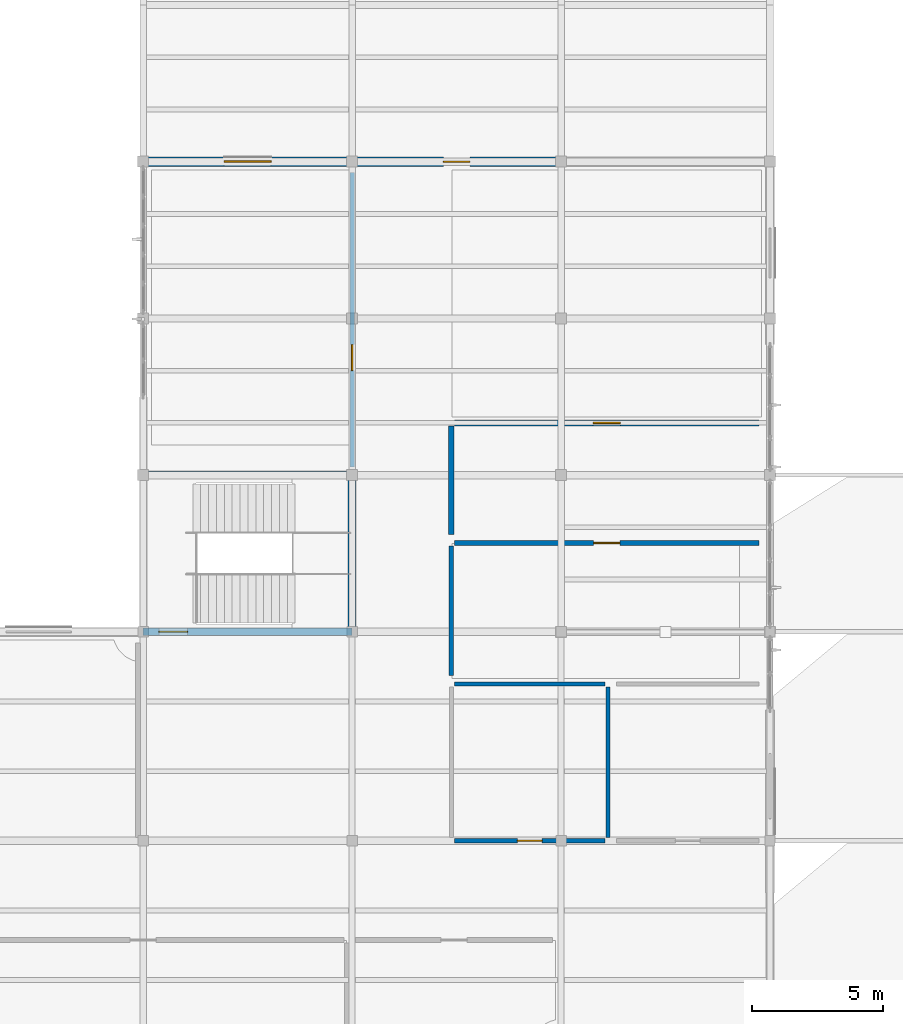
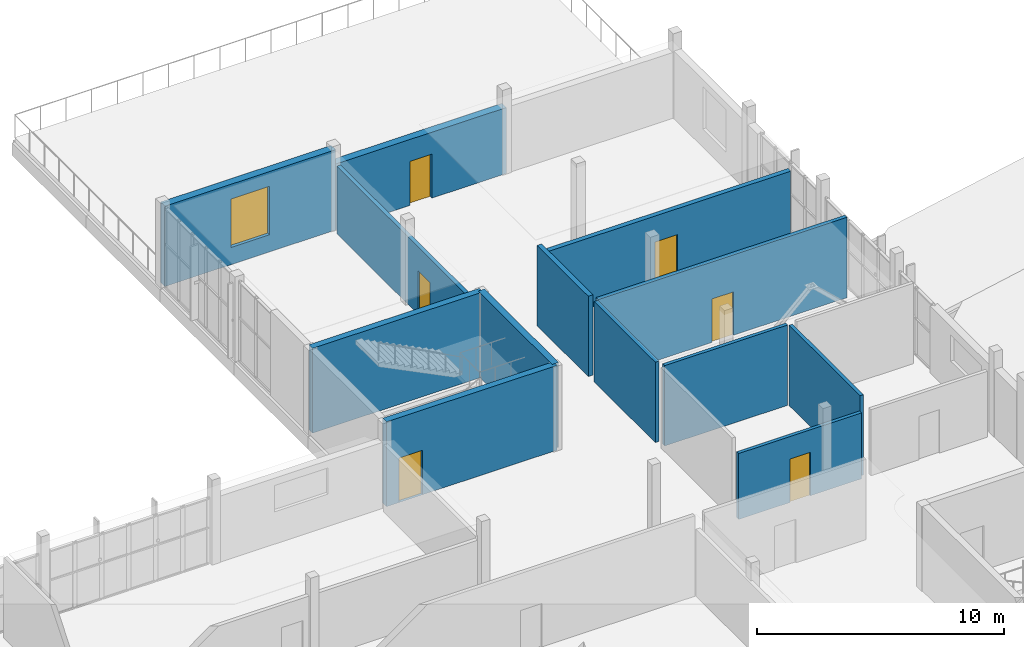
# One storey, part 37 of 45: 13 walls, 6 doors, 1 window, 7 openings.
"""IFC4 building model written with IfcOpenShell, lengths in metres."""

from ifc_helpers import new_model, si_unit, direction, frame, frame_2d, origin, place, context, subcontext, project, spatial, rectangle, extrude, material, layer, layer_set, type_object, element, fill, save


model = new_model("IFC4")

# Units and contexts
model_context = context("Model", 3, precision=1e-05, world=origin(), true_north=direction((0.0, 1.0)))
body_context = subcontext(model_context, "Body", "Model", "MODEL_VIEW")
ifc_project = project(units=[si_unit("LENGTHUNIT", "METRE"), si_unit("AREAUNIT", "SQUARE_METRE"), si_unit("VOLUMEUNIT", "CUBIC_METRE"), si_unit("PLANEANGLEUNIT", "RADIAN"), si_unit("MASSUNIT", "GRAM", prefix="KILO")], contexts=[model_context])

# Site, building, storey
site_placement = place(None, origin())
site = spatial("IfcSite", under=ifc_project, at=site_placement, CompositionType="ELEMENT")
building_placement = place(site_placement, origin())
building = spatial("IfcBuilding", under=site, at=building_placement, Name="Solvane Community Centre", CompositionType="ELEMENT")
storey_placement = place(building_placement, frame((0.0, 0.0, 13.800048828125)))
storey = spatial("IfcBuildingStorey", under=building, at=storey_placement, Name="L03", CompositionType="ELEMENT", Elevation=13.800048828125)

# Wall, opening, door
ifc_material_1 = material(Name="Precast concrete C35/45", Category="concrete")
ifc_layer_1 = layer(ifc_material_1, 0.35009765625)
ifc_layer_set_1 = layer_set([ifc_layer_1], Name="Precast concrete C35/45")
wall_type_1 = type_object("IfcWallType", Name="Art Deco Limestone Cavity Wall 350mm [80x33dm]", PredefinedType="SOLIDWALL", material=ifc_layer_set_1)
wall_1_placement = place(storey_placement, frame((124.0, 48.0, 0.0), z_axis=(0.0, 0.0, 1.0), x_axis=(1.0, 0.0, 0.0)))
wall_1 = element("IfcWall", 1, at=wall_1_placement, inside=storey, type_object=wall_type_1, Name="Exterior Wall WL-EXT-L03-0150", PredefinedType="SOLIDWALL", context=body_context, shape_type="SweptSolid", body=[
    extrude(rectangle(XDim=8.0, YDim=0.35009765625, at=frame_2d((4.0, 0.0))), origin(), (0.0, 0.0, 1.0), 3.264892578125),
])
opening_1_placement = place(wall_1_placement, frame((3.489990234375, 0.0, 0.0)))
opening_1 = element("IfcOpeningElement", 2, at=opening_1_placement, cuts=wall_1, Name="Opening D09", PredefinedType="OPENING", context=body_context, shape_type="SweptSolid", body=[
    extrude(rectangle(XDim=1.02001953125, YDim=2.179931640625, at=frame_2d((0.510009765625, 1.08984375))), frame((0.0, 0.18505859375, 0.0), z_axis=(0.0, -1.0, 0.0), x_axis=(1.0, 0.0, 0.0)), (0.0, 0.0, 1.0), 0.3701171875),
])
ifc_material_2 = material(Name="Anodised bronze aluminium AW-6063 T6", Category="aluminium")
door_type_1 = type_object("IfcDoorType", Name="Roof Garden Single Leaf 1020x2180", OperationType="NOTDEFINED", PredefinedType="DOOR", material=ifc_material_2)
door_1_placement = place(opening_1_placement, origin())
door_1 = element("IfcDoor", 3, at=door_1_placement, inside=storey, type_object=door_type_1, Name="L03-ED33", OperationType="SINGLE_SWING_LEFT", OverallHeight=2.179931640625, OverallWidth=1.02001953125, PredefinedType="DOOR", context=body_context, shape_type="SweptSolid", body=[
    extrude(rectangle(XDim=1.02001953125, YDim=2.179931640625, at=frame_2d((0.510009765625, 1.08984375))), frame((0.0, 0.02490234375, 0.0), z_axis=(0.0, -1.0, 0.0), x_axis=(1.0, 0.0, 0.0)), (0.0, 0.0, 1.0), 0.050048828125),
])
fill(opening_1, door_1)

# Wall, opening, window
ifc_layer_2 = layer(ifc_material_1, 0.35009765625)
ifc_layer_set_2 = layer_set([ifc_layer_2], Name="Precast concrete C35/45")
wall_type_2 = type_object("IfcWallType", Name="Art Deco Limestone Cavity Wall 350mm [80x40dm]", PredefinedType="SOLIDWALL", material=ifc_layer_set_2)
wall_2_placement = place(storey_placement, frame((116.0, 48.0, 0.0), z_axis=(0.0, 0.0, 1.0), x_axis=(1.0, 0.0, 0.0)))
wall_2 = element("IfcWall", 4, at=wall_2_placement, inside=storey, type_object=wall_type_2, Name="Exterior Wall WL-EXT-L03-0149", PredefinedType="SOLIDWALL", context=body_context, shape_type="SweptSolid", body=[
    extrude(rectangle(XDim=8.0, YDim=0.35009765625, at=frame_2d((4.0, 0.0))), origin(), (0.0, 0.0, 1.0), 3.97998046875),
])
opening_2_placement = place(wall_2_placement, frame((3.10009765625, 0.0, 0.85009765625)))
opening_2 = element("IfcOpeningElement", 5, at=opening_2_placement, cuts=wall_2, Name="Opening WN03", PredefinedType="OPENING", context=body_context, shape_type="SweptSolid", body=[
    extrude(rectangle(XDim=1.800048828125, YDim=2.39990234375, at=frame_2d((0.89990234375, 1.199951171875))), frame((0.0, 0.18505859375, 0.0), z_axis=(0.0, -1.0, 0.0), x_axis=(1.0, 0.0, 0.0)), (0.0, 0.0, 1.0), 0.3701171875),
])
ifc_material_3 = material(Name="Tempered low-E double glazing", Category="glass")
window_type = type_object("IfcWindowType", Name="Library Reading Window 1800x2400", PartitioningType="DOUBLE_PANEL_VERTICAL", PredefinedType="WINDOW", material=ifc_material_3)
window_placement = place(opening_2_placement, origin())
window = element("IfcWindow", 6, at=window_placement, inside=storey, type_object=window_type, Name="L03-W067", OverallHeight=2.39990234375, OverallWidth=1.800048828125, PartitioningType="DOUBLE_PANEL_VERTICAL", PredefinedType="WINDOW", context=body_context, shape_type="SweptSolid", body=[
    extrude(rectangle(XDim=1.800048828125, YDim=2.39990234375, at=frame_2d((0.89990234375, 1.199951171875))), frame((0.0, 0.030029296875, 0.0), z_axis=(0.0, -1.0, 0.0), x_axis=(1.0, 0.0, 0.0)), (0.0, 0.0, 1.0), 0.06005859375),
])
fill(opening_2, window)

# Wall, opening, door
ifc_material_4 = material(Name="Terracotta clay masonry", Category="masonry")
ifc_layer_3 = layer(ifc_material_4, 0.219970703125)
ifc_layer_set_3 = layer_set([ifc_layer_3], Name="Terracotta clay masonry")
wall_type_3 = type_object("IfcWallType", Name="Masonry Compartment Wall 220mm [117x35dm]", PredefinedType="SOLIDWALL", material=ifc_layer_set_3)
wall_3_placement = place(storey_placement, frame((139.580078125, 38.0, 0.0), z_axis=(0.0, 0.0, 1.0), x_axis=(-1.0, 0.0, 0.0)))
wall_3 = element("IfcWall", 7, at=wall_3_placement, inside=storey, type_object=wall_type_3, Name="Interior Wall WL-INT-L03-0356", PredefinedType="SOLIDWALL", context=body_context, shape_type="SweptSolid", body=[
    extrude(rectangle(XDim=11.66015625, YDim=0.219970703125, at=frame_2d((5.830078125, 0.0))), origin(), (0.0, 0.0, 1.0), 3.48486328125),
])
opening_3_placement = place(wall_3_placement, frame((5.304931640625, 0.0, 0.0)))
opening_3 = element("IfcOpeningElement", 8, at=opening_3_placement, cuts=wall_3, Name="Opening FD01", PredefinedType="OPENING", context=body_context, shape_type="SweptSolid", body=[
    extrude(rectangle(XDim=1.050048828125, YDim=2.199951171875, at=frame_2d((0.52490234375, 1.10009765625))), frame((0.0, 0.119873046875, 0.0), z_axis=(0.0, -1.0, 0.0), x_axis=(1.0, 0.0, 0.0)), (0.0, 0.0, 1.0), 0.239990234375),
])
door_type_2 = type_object("IfcDoorType", Name="Compartment Fire Door 1050x2200", OperationType="NOTDEFINED", PredefinedType="DOOR", material=ifc_material_2)
door_2_placement = place(opening_3_placement, origin())
door_2 = element("IfcDoor", 9, at=door_2_placement, inside=storey, type_object=door_type_2, Name="L03-D143", OperationType="SINGLE_SWING_LEFT", OverallHeight=2.199951171875, OverallWidth=1.050048828125, PredefinedType="DOOR", context=body_context, shape_type="SweptSolid", body=[
    extrude(rectangle(XDim=1.050048828125, YDim=2.199951171875, at=frame_2d((0.52490234375, 1.10009765625))), frame((0.0, 0.02490234375, 0.0), z_axis=(0.0, -1.0, 0.0), x_axis=(1.0, 0.0, 0.0)), (0.0, 0.0, 1.0), 0.050048828125),
])
fill(opening_3, door_2)

# Wall
ifc_layer_4 = layer(ifc_material_4, 0.219970703125)
ifc_layer_set_4 = layer_set([ifc_layer_4], Name="Terracotta clay masonry")
wall_type_4 = type_object("IfcWallType", Name="Masonry Compartment Wall 220mm [42x40dm]", PredefinedType="SOLIDWALL", material=ifc_layer_set_4)
wall_4_placement = place(storey_placement, frame((127.800048828125, 37.8798828125, 0.0), z_axis=(0.0, 0.0, 1.0), x_axis=(0.0, -1.0, 0.0)))
element("IfcWall", 10, at=wall_4_placement, inside=storey, type_object=wall_type_4, Name="Interior Wall WL-INT-L03-0357", PredefinedType="SOLIDWALL", context=body_context, shape_type="SweptSolid", body=[
    extrude(rectangle(XDim=4.159912109375, YDim=0.219970703125, at=frame_2d((2.080078125, 0.0))), origin(), (0.0, 0.0, 1.0), 3.97998046875),
])

# Wall, opening, door
ifc_material_5 = material(Name="Gypsum board partition")
ifc_layer_5 = layer(ifc_material_5, 0.179931640625)
ifc_layer_set_5 = layer_set([ifc_layer_5], Name="Gypsum board partition")
wall_type_5 = type_object("IfcWallType", Name="Protected Corridor Wall 180mm [113x33dm]", PredefinedType="PARTITIONING", material=ifc_layer_set_5)
wall_5_placement = place(storey_placement, frame((124.0, 36.320068359375, 0.0), z_axis=(0.0, 0.0, 1.0), x_axis=(0.0, 1.0, 0.0)))
wall_5 = element("IfcWall", 11, at=wall_5_placement, inside=storey, type_object=wall_type_5, Name="Interior Wall WL-INT-L03-0353", PredefinedType="PARTITIONING", context=body_context, shape_type="SweptSolid", body=[
    extrude(rectangle(XDim=11.260009765625, YDim=0.179931640625, at=frame_2d((5.6298828125, 0.0))), origin(), (0.0, 0.0, 1.0), 3.344970703125),
])
opening_4_placement = place(wall_5_placement, frame((3.680908203125, 0.0, 0.0)))
opening_4 = element("IfcOpeningElement", 12, at=opening_4_placement, cuts=wall_5, Name="Opening ID01", PredefinedType="OPENING", context=body_context, shape_type="SweptSolid", body=[
    extrude(rectangle(XDim=1.0, YDim=2.14990234375, at=frame_2d((0.5, 1.074951171875))), frame((0.0, 0.099853515625, 0.0), z_axis=(0.0, -1.0, 0.0), x_axis=(1.0, 0.0, 0.0)), (0.0, 0.0, 1.0), 0.199951171875),
])
door_type_3 = type_object("IfcDoorType", Name="Corridor Rated Classroom Door 1000x2150", OperationType="NOTDEFINED", PredefinedType="DOOR", material=ifc_material_2)
door_3_placement = place(opening_4_placement, origin())
door_3 = element("IfcDoor", 13, at=door_3_placement, inside=storey, type_object=door_type_3, Name="L03-D141", OperationType="SINGLE_SWING_LEFT", OverallHeight=2.14990234375, OverallWidth=1.0, PredefinedType="DOOR", context=body_context, shape_type="SweptSolid", body=[
    extrude(rectangle(XDim=1.0, YDim=2.14990234375, at=frame_2d((0.5, 1.074951171875))), frame((0.0, 0.02490234375, 0.0), z_axis=(0.0, -1.0, 0.0), x_axis=(1.0, 0.0, 0.0)), (0.0, 0.0, 1.0), 0.050048828125),
])
fill(opening_4, door_3)

ifc_layer_6 = layer(ifc_material_5, 0.179931640625)
ifc_layer_set_6 = layer_set([ifc_layer_6], Name="Gypsum board partition")
wall_type_6 = type_object("IfcWallType", Name="Protected Corridor Wall 180mm [117x40dm]", PredefinedType="PARTITIONING", material=ifc_layer_set_6)
wall_6_placement = place(storey_placement, frame((139.580078125, 33.39990234375, 0.0), z_axis=(0.0, 0.0, 1.0), x_axis=(-1.0, 0.0, 0.0)))
wall_6 = element("IfcWall", 14, at=wall_6_placement, inside=storey, type_object=wall_type_6, Name="Interior Wall WL-INT-L03-0354", PredefinedType="PARTITIONING", context=body_context, shape_type="SweptSolid", body=[
    extrude(rectangle(XDim=11.66015625, YDim=0.179931640625, at=frame_2d((5.830078125, 0.0))), origin(), (0.0, 0.0, 1.0), 3.97998046875),
])
opening_5_placement = place(wall_6_placement, frame((5.330078125, 0.0, 0.0)))
opening_5 = element("IfcOpeningElement", 15, at=opening_5_placement, cuts=wall_6, Name="Opening ID01", PredefinedType="OPENING", context=body_context, shape_type="SweptSolid", body=[
    extrude(rectangle(XDim=1.0, YDim=2.14990234375, at=frame_2d((0.5, 1.074951171875))), frame((0.0, 0.099853515625, 0.0), z_axis=(0.0, -1.0, 0.0), x_axis=(1.0, 0.0, 0.0)), (0.0, 0.0, 1.0), 0.199951171875),
])
door_4_placement = place(opening_5_placement, origin())
door_4 = element("IfcDoor", 16, at=door_4_placement, inside=storey, type_object=door_type_3, Name="L03-D142", OperationType="SINGLE_SWING_RIGHT", OverallHeight=2.14990234375, OverallWidth=1.0, PredefinedType="DOOR", context=body_context, shape_type="SweptSolid", body=[
    extrude(rectangle(XDim=1.0, YDim=2.14990234375, at=frame_2d((0.5, 1.074951171875))), frame((0.0, 0.02490234375, 0.0), z_axis=(0.0, -1.0, 0.0), x_axis=(1.0, 0.0, 0.0)), (0.0, 0.0, 1.0), 0.050048828125),
])
fill(opening_5, door_4)

# Walls
ifc_layer_7 = layer(ifc_material_5, 0.179931640625)
ifc_layer_set_7 = layer_set([ifc_layer_7], Name="Gypsum board partition")
wall_type_7 = type_object("IfcWallType", Name="Protected Corridor Wall 180mm [50x40dm]", PredefinedType="PARTITIONING", material=ifc_layer_set_7)
wall_7_placement = place(storey_placement, frame((127.800048828125, 33.280029296875, 0.0), z_axis=(0.0, 0.0, 1.0), x_axis=(0.0, -1.0, 0.0)))
element("IfcWall", 17, at=wall_7_placement, inside=storey, type_object=wall_type_7, Name="Interior Wall WL-INT-L03-0355", PredefinedType="PARTITIONING", context=body_context, shape_type="SweptSolid", body=[
    extrude(rectangle(XDim=4.9599609375, YDim=0.179931640625, at=frame_2d((2.47998046875, 0.0))), origin(), (0.0, 0.0, 1.0), 3.97998046875),
])
ifc_material_6 = material(Name="Concrete C35/45", Category="concrete")
ifc_layer_8 = layer(ifc_material_6, 0.300048828125)
ifc_layer_set_8 = layer_set([ifc_layer_8], Name="Concrete C35/45")
wall_type_8 = type_object("IfcWallType", Name="RC Core Shear Wall 300mm [60x42dm]", PredefinedType="SHEAR", material=ifc_layer_set_8)
wall_8_placement = place(storey_placement, frame((124.0, 36.0, 0.0), z_axis=(0.0, 0.0, 1.0), x_axis=(0.0, -1.0, 0.0)))
element("IfcWall", 18, at=wall_8_placement, inside=storey, type_object=wall_type_8, Name="Interior Wall WL-INT-L03-0085", PredefinedType="SHEAR", context=body_context, shape_type="SweptSolid", body=[
    extrude(rectangle(XDim=6.0, YDim=0.300048828125, at=frame_2d((3.0, 0.0))), origin(), (0.0, 0.0, 1.0), 4.199951171875),
])

# Wall, opening, door
ifc_layer_9 = layer(ifc_material_6, 0.300048828125)
ifc_layer_set_9 = layer_set([ifc_layer_9], Name="Concrete C35/45")
wall_type_9 = type_object("IfcWallType", Name="RC Core Shear Wall 300mm [80x42dm]", PredefinedType="SHEAR", material=ifc_layer_set_9)
wall_9_placement = place(storey_placement, frame((124.0, 30.0, 0.0), z_axis=(0.0, 0.0, 1.0), x_axis=(-1.0, 0.0, 0.0)))
wall_9 = element("IfcWall", 19, at=wall_9_placement, inside=storey, type_object=wall_type_9, Name="Interior Wall WL-INT-L03-0083", PredefinedType="SHEAR", context=body_context, shape_type="SweptSolid", body=[
    extrude(rectangle(XDim=8.0, YDim=0.300048828125, at=frame_2d((4.0, 0.0))), origin(), (0.0, 0.0, 1.0), 4.199951171875),
])
opening_6_placement = place(wall_9_placement, frame((6.300048828125, 0.0, 0.0)))
opening_6 = element("IfcOpeningElement", 20, at=opening_6_placement, cuts=wall_9, Name="Opening SD02", PredefinedType="OPENING", context=body_context, shape_type="SweptSolid", body=[
    extrude(rectangle(XDim=1.10009765625, YDim=2.199951171875, at=frame_2d((0.550048828125, 1.10009765625))), frame((0.0, 0.159912109375, 0.0), z_axis=(0.0, -1.0, 0.0), x_axis=(1.0, 0.0, 0.0)), (0.0, 0.0, 1.0), 0.320068359375),
])
door_type_4 = type_object("IfcDoorType", Name="Core Stair Fire Door 1100x2200", OperationType="NOTDEFINED", PredefinedType="DOOR", material=ifc_material_2)
door_5_placement = place(opening_6_placement, origin())
door_5 = element("IfcDoor", 21, at=door_5_placement, inside=storey, type_object=door_type_4, Name="L03-D031", OperationType="SINGLE_SWING_RIGHT", OverallHeight=2.199951171875, OverallWidth=1.10009765625, PredefinedType="DOOR", context=body_context, shape_type="SweptSolid", body=[
    extrude(rectangle(XDim=1.10009765625, YDim=2.199951171875, at=frame_2d((0.550048828125, 1.10009765625))), frame((0.0, 0.02490234375, 0.0), z_axis=(0.0, -1.0, 0.0), x_axis=(1.0, 0.0, 0.0)), (0.0, 0.0, 1.0), 0.050048828125),
])
fill(opening_6, door_5)

# Wall
wall_10_placement = place(storey_placement, frame((116.0, 36.0, 0.0), z_axis=(0.0, 0.0, 1.0), x_axis=(1.0, 0.0, 0.0)))
element("IfcWall", 22, at=wall_10_placement, inside=storey, type_object=wall_type_9, Name="Interior Wall WL-INT-L03-0084", PredefinedType="SHEAR", context=body_context, shape_type="SweptSolid", body=[
    extrude(rectangle(XDim=8.0, YDim=0.300048828125, at=frame_2d((4.0, 0.0))), origin(), (0.0, 0.0, 1.0), 4.199951171875),
])

# Wall, opening, door
ifc_layer_10 = layer(ifc_material_5, 0.159912109375)
ifc_layer_set_10 = layer_set([ifc_layer_10], Name="Gypsum board partition")
wall_type_10 = type_object("IfcWallType", Name="Sanitary Plumbing Chase Wall 160mm [58x33dm]", PredefinedType="PLUMBINGWALL", material=ifc_layer_set_10)
wall_11_placement = place(storey_placement, frame((127.919921875, 22.0, 0.0), z_axis=(0.0, 0.0, 1.0), x_axis=(1.0, 0.0, 0.0)))
wall_11 = element("IfcWall", 23, at=wall_11_placement, inside=storey, type_object=wall_type_10, Name="Interior Wall WL-INT-L03-0347", PredefinedType="PLUMBINGWALL", context=body_context, shape_type="SweptSolid", body=[
    extrude(rectangle(XDim=5.760009765625, YDim=0.159912109375, at=frame_2d((2.8798828125, 0.0))), origin(), (0.0, 0.0, 1.0), 3.264892578125),
])
opening_7_placement = place(wall_11_placement, frame((2.405029296875, 0.0, 0.0)))
opening_7 = element("IfcOpeningElement", 24, at=opening_7_placement, cuts=wall_11, Name="Opening ID03", PredefinedType="OPENING", context=body_context, shape_type="SweptSolid", body=[
    extrude(rectangle(XDim=0.949951171875, YDim=2.14990234375, at=frame_2d((0.47509765625, 1.074951171875))), frame((0.0, 0.08984375, 0.0), z_axis=(0.0, -1.0, 0.0), x_axis=(1.0, 0.0, 0.0)), (0.0, 0.0, 1.0), 0.179931640625),
])
door_type_5 = type_object("IfcDoorType", Name="Accessible Sanitary Door 950x2150", OperationType="NOTDEFINED", PredefinedType="DOOR", material=ifc_material_2)
door_6_placement = place(opening_7_placement, origin())
door_6 = element("IfcDoor", 25, at=door_6_placement, inside=storey, type_object=door_type_5, Name="L03-D139", OperationType="SINGLE_SWING_LEFT", OverallHeight=2.14990234375, OverallWidth=0.949951171875, PredefinedType="DOOR", context=body_context, shape_type="SweptSolid", body=[
    extrude(rectangle(XDim=0.949951171875, YDim=2.14990234375, at=frame_2d((0.47509765625, 1.074951171875))), frame((0.0, 0.02490234375, 0.0), z_axis=(0.0, -1.0, 0.0), x_axis=(1.0, 0.0, 0.0)), (0.0, 0.0, 1.0), 0.050048828125),
])
fill(opening_7, door_6)

# Walls
ifc_layer_11 = layer(ifc_material_5, 0.159912109375)
ifc_layer_set_11 = layer_set([ifc_layer_11], Name="Gypsum board partition")
wall_type_11 = type_object("IfcWallType", Name="Sanitary Plumbing Chase Wall 160mm [58x40dm]", PredefinedType="PLUMBINGWALL", material=ifc_layer_set_11)
wall_12_placement = place(storey_placement, frame((133.679931640625, 28.0, 0.0), z_axis=(0.0, 0.0, 1.0), x_axis=(-1.0, 0.0, 0.0)))
element("IfcWall", 26, at=wall_12_placement, inside=storey, type_object=wall_type_11, Name="Interior Wall WL-INT-L03-0348", PredefinedType="PLUMBINGWALL", context=body_context, shape_type="SweptSolid", body=[
    extrude(rectangle(XDim=5.760009765625, YDim=0.159912109375, at=frame_2d((2.8798828125, 0.0))), origin(), (0.0, 0.0, 1.0), 3.97998046875),
])
wall_13_placement = place(storey_placement, frame((133.800048828125, 22.1201171875, 0.0), z_axis=(0.0, 0.0, 1.0), x_axis=(0.0, 1.0, 0.0)))
element("IfcWall", 27, at=wall_13_placement, inside=storey, type_object=wall_type_11, Name="Interior Wall WL-INT-L03-0350", PredefinedType="PLUMBINGWALL", context=body_context, shape_type="SweptSolid", body=[
    extrude(rectangle(XDim=5.759765625, YDim=0.159912109375, at=frame_2d((2.8798828125, 0.0))), origin(), (0.0, 0.0, 1.0), 3.97998046875),
])

save(model, "model.ifc")
